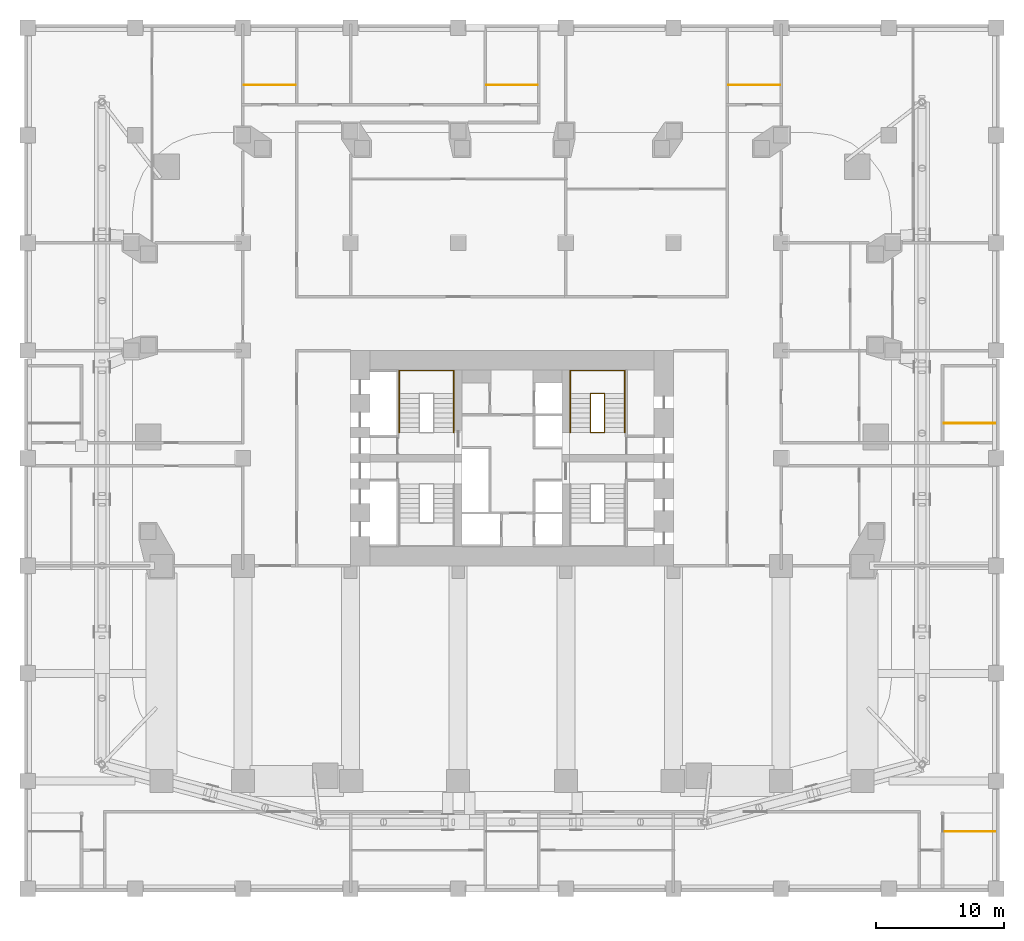
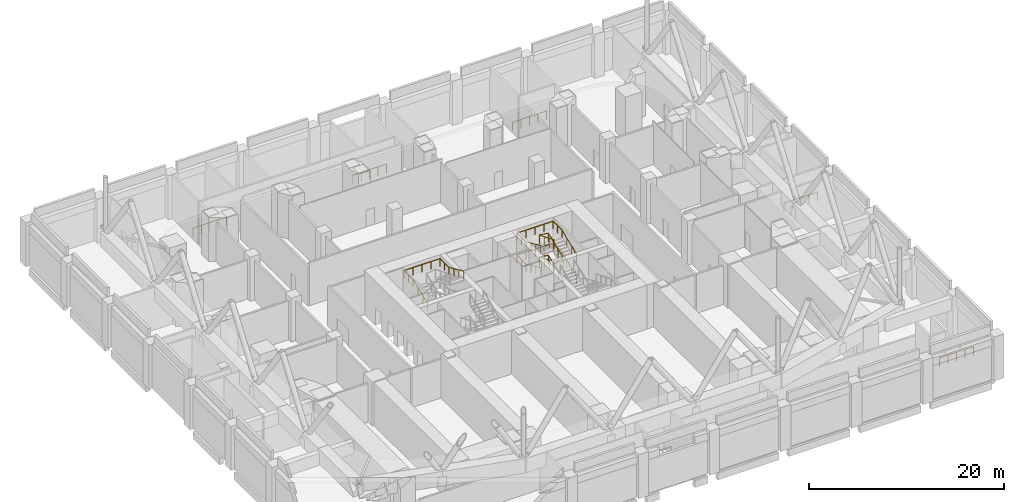
# One storey, part 17 of 17: 10 railings.
"""IFC4 building model written with IfcOpenShell, lengths in metres."""

from ifc_helpers import new_model, si_unit, direction, frame, origin, origin_2d, place, context, subcontext, project, spatial, circle, extrude, material, type_object, element, save


model = new_model("IFC4")

# Units and contexts
model_context = context("Model", 3, precision=1e-05, world=origin(), true_north=direction((0.0, 1.0)))
body_context = subcontext(model_context, "Body", "Model", "MODEL_VIEW")
ifc_project = project(units=[si_unit("LENGTHUNIT", "METRE"), si_unit("AREAUNIT", "SQUARE_METRE"), si_unit("VOLUMEUNIT", "CUBIC_METRE"), si_unit("PLANEANGLEUNIT", "RADIAN"), si_unit("MASSUNIT", "GRAM", prefix="KILO")], contexts=[model_context])

# Site, building, storey
site_placement = place(None, origin())
site = spatial("IfcSite", under=ifc_project, at=site_placement, CompositionType="ELEMENT")
building_placement = place(site_placement, origin())
building = spatial("IfcBuilding", under=site, at=building_placement, Name="Marenta Gate Hotel Tower", CompositionType="ELEMENT")
storey_placement = place(building_placement, frame((0.0, 0.0, 31.0)))
storey = spatial("IfcBuildingStorey", under=building, at=storey_placement, Name="L05", CompositionType="ELEMENT", Elevation=31.0)

# Railings
ifc_material_1 = material(Name="Stainless steel", Category="steel")
railing_type_1 = type_object("IfcRailingType", Name="Core stair handrail 950", PredefinedType="HANDRAIL", material=ifc_material_1)
railing_1_placement = place(storey_placement, frame((-8.800048828125, 10.39990234375, 2.90283203125)))
element("IfcRailing", 1, at=railing_1_placement, inside=storey, type_object=railing_type_1, Name="HR-950 L05-KR-ST2-3", PredefinedType="HANDRAIL", context=body_context, shape_type="SweptSolid", body=[
    extrude(circle(Radius=0.02392578125, at=origin_2d()), frame((0.0, 0.0, 0.92578125), z_axis=(0.0, 0.927827793205, 0.373008828524), x_axis=(-1.0, 0.0, 0.0)), (0.0, 0.0, 1.0), 3.276611328125),
    extrude(circle(Radius=0.02392578125, at=origin_2d()), frame((0.0, 3.0400390625, 2.14794921875), z_axis=(0.0, 1.0, 0.0), x_axis=(-1.0, 0.0, 0.0)), (0.0, 0.0, 1.0), 1.81005859375),
    extrude(circle(Radius=0.02392578125, at=origin_2d()), frame((0.0, 4.85009765625, 2.14794921875), z_axis=(1.0, 0.0, 0.0), x_axis=(0.0, 1.0, 0.0)), (0.0, 0.0, 1.0), 4.25),
    extrude(circle(Radius=0.02392578125, at=origin_2d()), frame((4.25, 4.85009765625, 2.14794921875), z_axis=(0.0, -1.0, 0.0), x_axis=(1.0, 0.0, 0.0)), (0.0, 0.0, 1.0), 1.81005859375),
    extrude(circle(Radius=0.02392578125, at=origin_2d()), frame((4.25, 3.0400390625, 2.14794921875), z_axis=(0.0, -0.911136707309, 0.412104235108), x_axis=(1.0, 0.0, 0.0)), (0.0, 0.0, 1.0), 3.33642578125),
    extrude(circle(Radius=0.02099609375, at=origin_2d()), origin(), (0.0, 0.0, 1.0), 0.90185546875),
    extrude(circle(Radius=0.02099609375, at=origin_2d()), frame((0.0, 1.013427734375, 0.407470703125)), (0.0, 0.0, 1.0), 0.90185546875),
    extrude(circle(Radius=0.02099609375, at=origin_2d()), frame((0.0, 2.026611328125, 0.814697265625)), (0.0, 0.0, 1.0), 0.90185546875),
    extrude(circle(Radius=0.02099609375, at=origin_2d()), frame((0.0, 3.0400390625, 1.22216796875)), (0.0, 0.0, 1.0), 0.90185546875),
    extrude(circle(Radius=0.02099609375, at=origin_2d()), frame((0.0, 3.945068359375, 1.22216796875)), (0.0, 0.0, 1.0), 0.90185546875),
    extrude(circle(Radius=0.02099609375, at=origin_2d()), frame((0.0, 4.85009765625, 1.22216796875)), (0.0, 0.0, 1.0), 0.90185546875),
    extrude(circle(Radius=0.02099609375, at=origin_2d()), frame((1.0625, 4.85009765625, 1.22216796875)), (0.0, 0.0, 1.0), 0.90185546875),
    extrude(circle(Radius=0.02099609375, at=origin_2d()), frame((2.125, 4.85009765625, 1.22216796875)), (0.0, 0.0, 1.0), 0.90185546875),
    extrude(circle(Radius=0.02099609375, at=origin_2d()), frame((3.1875, 4.85009765625, 1.22216796875)), (0.0, 0.0, 1.0), 0.90185546875),
    extrude(circle(Radius=0.02099609375, at=origin_2d()), frame((4.25, 4.85009765625, 1.22216796875)), (0.0, 0.0, 1.0), 0.90185546875),
    extrude(circle(Radius=0.02099609375, at=origin_2d()), frame((4.25, 3.945068359375, 1.22216796875)), (0.0, 0.0, 1.0), 0.90185546875),
    extrude(circle(Radius=0.02099609375, at=origin_2d()), frame((4.25, 3.0400390625, 1.22216796875)), (0.0, 0.0, 1.0), 0.90185546875),
    extrude(circle(Radius=0.02099609375, at=origin_2d()), frame((4.25, 2.026611328125, 1.680419921875)), (0.0, 0.0, 1.0), 0.90185546875),
    extrude(circle(Radius=0.02099609375, at=origin_2d()), frame((4.25, 1.013427734375, 2.138916015625)), (0.0, 0.0, 1.0), 0.90185546875),
    extrude(circle(Radius=0.02099609375, at=origin_2d()), frame((4.25, 0.0, 2.59716796875)), (0.0, 0.0, 1.0), 0.90185546875),
])
railing_2_placement = place(storey_placement, frame((8.800048828125, 10.39990234375, 0.15283203125)))
element("IfcRailing", 2, at=railing_2_placement, inside=storey, type_object=railing_type_1, Name="HR-950 L05-KR-ST4-1", PredefinedType="HANDRAIL", context=body_context, shape_type="SweptSolid", body=[
    extrude(circle(Radius=0.02392578125, at=origin_2d()), frame((0.0, 0.0, 0.92578125), z_axis=(0.0, 0.927827793205, 0.373008828524), x_axis=(-1.0, 0.0, 0.0)), (0.0, 0.0, 1.0), 3.276611328125),
    extrude(circle(Radius=0.02392578125, at=origin_2d()), frame((0.0, 3.0400390625, 2.14794921875), z_axis=(0.0, 1.0, 0.0), x_axis=(-1.0, 0.0, 0.0)), (0.0, 0.0, 1.0), 1.81005859375),
    extrude(circle(Radius=0.02392578125, at=origin_2d()), frame((0.0, 4.85009765625, 2.14794921875), z_axis=(-1.0, 0.0, 0.0), x_axis=(0.0, -1.0, 0.0)), (0.0, 0.0, 1.0), 4.25),
    extrude(circle(Radius=0.02392578125, at=origin_2d()), frame((-4.25, 4.85009765625, 2.14794921875), z_axis=(0.0, -1.0, 0.0), x_axis=(1.0, 0.0, 0.0)), (0.0, 0.0, 1.0), 1.81005859375),
    extrude(circle(Radius=0.02392578125, at=origin_2d()), frame((-4.25, 3.0400390625, 2.14794921875), z_axis=(0.0, -0.911136707309, 0.412104235108), x_axis=(1.0, 0.0, 0.0)), (0.0, 0.0, 1.0), 3.33642578125),
    extrude(circle(Radius=0.02099609375, at=origin_2d()), origin(), (0.0, 0.0, 1.0), 0.90185546875),
    extrude(circle(Radius=0.02099609375, at=origin_2d()), frame((0.0, 1.013427734375, 0.407470703125)), (0.0, 0.0, 1.0), 0.90185546875),
    extrude(circle(Radius=0.02099609375, at=origin_2d()), frame((0.0, 2.026611328125, 0.814697265625)), (0.0, 0.0, 1.0), 0.90185546875),
    extrude(circle(Radius=0.02099609375, at=origin_2d()), frame((0.0, 3.0400390625, 1.22216796875)), (0.0, 0.0, 1.0), 0.90185546875),
    extrude(circle(Radius=0.02099609375, at=origin_2d()), frame((0.0, 3.945068359375, 1.22216796875)), (0.0, 0.0, 1.0), 0.90185546875),
    extrude(circle(Radius=0.02099609375, at=origin_2d()), frame((0.0, 4.85009765625, 1.22216796875)), (0.0, 0.0, 1.0), 0.90185546875),
    extrude(circle(Radius=0.02099609375, at=origin_2d()), frame((-1.0625, 4.85009765625, 1.22216796875)), (0.0, 0.0, 1.0), 0.90185546875),
    extrude(circle(Radius=0.02099609375, at=origin_2d()), frame((-2.125, 4.85009765625, 1.22216796875)), (0.0, 0.0, 1.0), 0.90185546875),
    extrude(circle(Radius=0.02099609375, at=origin_2d()), frame((-3.1875, 4.85009765625, 1.22216796875)), (0.0, 0.0, 1.0), 0.90185546875),
    extrude(circle(Radius=0.02099609375, at=origin_2d()), frame((-4.25, 4.85009765625, 1.22216796875)), (0.0, 0.0, 1.0), 0.90185546875),
    extrude(circle(Radius=0.02099609375, at=origin_2d()), frame((-4.25, 3.945068359375, 1.22216796875)), (0.0, 0.0, 1.0), 0.90185546875),
    extrude(circle(Radius=0.02099609375, at=origin_2d()), frame((-4.25, 3.0400390625, 1.22216796875)), (0.0, 0.0, 1.0), 0.90185546875),
    extrude(circle(Radius=0.02099609375, at=origin_2d()), frame((-4.25, 2.026611328125, 1.680419921875)), (0.0, 0.0, 1.0), 0.90185546875),
    extrude(circle(Radius=0.02099609375, at=origin_2d()), frame((-4.25, 1.013427734375, 2.138916015625)), (0.0, 0.0, 1.0), 0.90185546875),
    extrude(circle(Radius=0.02099609375, at=origin_2d()), frame((-4.25, 0.0, 2.59716796875)), (0.0, 0.0, 1.0), 0.90185546875),
])
railing_3_placement = place(storey_placement, frame((8.800048828125, 10.39990234375, 2.90283203125)))
element("IfcRailing", 3, at=railing_3_placement, inside=storey, type_object=railing_type_1, Name="HR-950 L05-KR-ST4-3", PredefinedType="HANDRAIL", context=body_context, shape_type="SweptSolid", body=[
    extrude(circle(Radius=0.02392578125, at=origin_2d()), frame((0.0, 0.0, 0.92578125), z_axis=(0.0, 0.927827793205, 0.373008828524), x_axis=(-1.0, 0.0, 0.0)), (0.0, 0.0, 1.0), 3.276611328125),
    extrude(circle(Radius=0.02392578125, at=origin_2d()), frame((0.0, 3.0400390625, 2.14794921875), z_axis=(0.0, 1.0, 0.0), x_axis=(-1.0, 0.0, 0.0)), (0.0, 0.0, 1.0), 1.81005859375),
    extrude(circle(Radius=0.02392578125, at=origin_2d()), frame((0.0, 4.85009765625, 2.14794921875), z_axis=(-1.0, 0.0, 0.0), x_axis=(0.0, -1.0, 0.0)), (0.0, 0.0, 1.0), 4.25),
    extrude(circle(Radius=0.02392578125, at=origin_2d()), frame((-4.25, 4.85009765625, 2.14794921875), z_axis=(0.0, -1.0, 0.0), x_axis=(1.0, 0.0, 0.0)), (0.0, 0.0, 1.0), 1.81005859375),
    extrude(circle(Radius=0.02392578125, at=origin_2d()), frame((-4.25, 3.0400390625, 2.14794921875), z_axis=(0.0, -0.911136707309, 0.412104235108), x_axis=(1.0, 0.0, 0.0)), (0.0, 0.0, 1.0), 3.33642578125),
    extrude(circle(Radius=0.02099609375, at=origin_2d()), origin(), (0.0, 0.0, 1.0), 0.90185546875),
    extrude(circle(Radius=0.02099609375, at=origin_2d()), frame((0.0, 1.013427734375, 0.407470703125)), (0.0, 0.0, 1.0), 0.90185546875),
    extrude(circle(Radius=0.02099609375, at=origin_2d()), frame((0.0, 2.026611328125, 0.814697265625)), (0.0, 0.0, 1.0), 0.90185546875),
    extrude(circle(Radius=0.02099609375, at=origin_2d()), frame((0.0, 3.0400390625, 1.22216796875)), (0.0, 0.0, 1.0), 0.90185546875),
    extrude(circle(Radius=0.02099609375, at=origin_2d()), frame((0.0, 3.945068359375, 1.22216796875)), (0.0, 0.0, 1.0), 0.90185546875),
    extrude(circle(Radius=0.02099609375, at=origin_2d()), frame((0.0, 4.85009765625, 1.22216796875)), (0.0, 0.0, 1.0), 0.90185546875),
    extrude(circle(Radius=0.02099609375, at=origin_2d()), frame((-1.0625, 4.85009765625, 1.22216796875)), (0.0, 0.0, 1.0), 0.90185546875),
    extrude(circle(Radius=0.02099609375, at=origin_2d()), frame((-2.125, 4.85009765625, 1.22216796875)), (0.0, 0.0, 1.0), 0.90185546875),
    extrude(circle(Radius=0.02099609375, at=origin_2d()), frame((-3.1875, 4.85009765625, 1.22216796875)), (0.0, 0.0, 1.0), 0.90185546875),
    extrude(circle(Radius=0.02099609375, at=origin_2d()), frame((-4.25, 4.85009765625, 1.22216796875)), (0.0, 0.0, 1.0), 0.90185546875),
    extrude(circle(Radius=0.02099609375, at=origin_2d()), frame((-4.25, 3.945068359375, 1.22216796875)), (0.0, 0.0, 1.0), 0.90185546875),
    extrude(circle(Radius=0.02099609375, at=origin_2d()), frame((-4.25, 3.0400390625, 1.22216796875)), (0.0, 0.0, 1.0), 0.90185546875),
    extrude(circle(Radius=0.02099609375, at=origin_2d()), frame((-4.25, 2.026611328125, 1.680419921875)), (0.0, 0.0, 1.0), 0.90185546875),
    extrude(circle(Radius=0.02099609375, at=origin_2d()), frame((-4.25, 1.013427734375, 2.138916015625)), (0.0, 0.0, 1.0), 0.90185546875),
    extrude(circle(Radius=0.02099609375, at=origin_2d()), frame((-4.25, 0.0, 2.59716796875)), (0.0, 0.0, 1.0), 0.90185546875),
])
ifc_material_2 = material(Name="Stainless steel", Category="steel")
railing_type_2 = type_object("IfcRailingType", Name="Core stair well guard 1100", PredefinedType="GUARDRAIL", material=ifc_material_2)
railing_4_placement = place(storey_placement, frame((6.139892578125, 10.39990234375, 0.0)))
element("IfcRailing", 4, at=railing_4_placement, inside=storey, type_object=railing_type_2, Name="GR-1100 L05-KR-ST4-2", PredefinedType="GUARDRAIL", context=body_context, shape_type="SweptSolid", body=[
    extrude(circle(Radius=0.02392578125, at=origin_2d()), frame((0.0, 0.0, 1.076171875), z_axis=(1.0, 0.0, 0.0), x_axis=(0.0, 1.0, 0.0)), (0.0, 0.0, 1.0), 1.070068359375),
    extrude(circle(Radius=0.02392578125, at=origin_2d()), frame((1.070068359375, 0.0, 1.076171875), z_axis=(0.0, 0.0, 1.0), x_axis=(1.0, 0.0, 0.0)), (0.0, 0.0, 1.0), 0.15283203125),
    extrude(circle(Radius=0.02392578125, at=origin_2d()), frame((1.070068359375, 0.0, 1.22900390625), z_axis=(0.0, 0.927827793205, 0.373008828524), x_axis=(-1.0, 0.0, 0.0)), (0.0, 0.0, 1.0), 3.276611328125),
    extrude(circle(Radius=0.02392578125, at=origin_2d()), frame((1.070068359375, 3.0400390625, 2.451171875), z_axis=(-0.9899540104, 0.0, 0.141389735458), x_axis=(0.0, -1.0, 0.0)), (0.0, 0.0, 1.0), 1.080810546875),
    extrude(circle(Radius=0.02392578125, at=origin_2d()), frame((0.0, 3.0400390625, 2.60400390625), z_axis=(0.0, -0.927827793205, 0.373008828524), x_axis=(1.0, 0.0, 0.0)), (0.0, 0.0, 1.0), 3.276611328125),
    extrude(circle(Radius=0.02099609375, at=origin_2d()), origin(), (0.0, 0.0, 1.0), 1.052001953125),
    extrude(circle(Radius=0.02099609375, at=origin_2d()), frame((1.070068359375, 0.0, 0.0)), (0.0, 0.0, 1.0), 1.052001953125),
    extrude(circle(Radius=0.02099609375, at=origin_2d()), frame((1.070068359375, 0.0, 0.15283203125)), (0.0, 0.0, 1.0), 1.052001953125),
    extrude(circle(Radius=0.02099609375, at=origin_2d()), frame((1.070068359375, 1.013427734375, 0.560302734375)), (0.0, 0.0, 1.0), 1.052001953125),
    extrude(circle(Radius=0.02099609375, at=origin_2d()), frame((1.070068359375, 2.026611328125, 0.967529296875)), (0.0, 0.0, 1.0), 1.052001953125),
    extrude(circle(Radius=0.02099609375, at=origin_2d()), frame((1.070068359375, 3.0400390625, 1.375)), (0.0, 0.0, 1.0), 1.052001953125),
    extrude(circle(Radius=0.02099609375, at=origin_2d()), frame((0.0, 3.0400390625, 1.52783203125)), (0.0, 0.0, 1.0), 1.052001953125),
    extrude(circle(Radius=0.02099609375, at=origin_2d()), frame((0.0, 2.026611328125, 1.935302734375)), (0.0, 0.0, 1.0), 1.052001953125),
    extrude(circle(Radius=0.02099609375, at=origin_2d()), frame((0.0, 1.013427734375, 2.342529296875)), (0.0, 0.0, 1.0), 1.052001953125),
    extrude(circle(Radius=0.02099609375, at=origin_2d()), frame((0.0, 0.0, 2.75)), (0.0, 0.0, 1.0), 1.052001953125),
])
railing_5_placement = place(storey_placement, frame((6.139892578125, 10.39990234375, 2.75)))
element("IfcRailing", 5, at=railing_5_placement, inside=storey, type_object=railing_type_2, Name="GR-1100 L05-KR-ST4-4", PredefinedType="GUARDRAIL", context=body_context, shape_type="SweptSolid", body=[
    extrude(circle(Radius=0.02392578125, at=origin_2d()), frame((0.0, 0.0, 1.076171875), z_axis=(1.0, 0.0, 0.0), x_axis=(0.0, 1.0, 0.0)), (0.0, 0.0, 1.0), 1.070068359375),
    extrude(circle(Radius=0.02392578125, at=origin_2d()), frame((1.070068359375, 0.0, 1.076171875), z_axis=(0.0, 0.0, 1.0), x_axis=(1.0, 0.0, 0.0)), (0.0, 0.0, 1.0), 0.15283203125),
    extrude(circle(Radius=0.02392578125, at=origin_2d()), frame((1.070068359375, 0.0, 1.22900390625), z_axis=(0.0, 0.927827793205, 0.373008828524), x_axis=(-1.0, 0.0, 0.0)), (0.0, 0.0, 1.0), 3.276611328125),
    extrude(circle(Radius=0.02392578125, at=origin_2d()), frame((1.070068359375, 3.0400390625, 2.451171875), z_axis=(-0.9899540104, 0.0, 0.141389735458), x_axis=(0.0, -1.0, 0.0)), (0.0, 0.0, 1.0), 1.080810546875),
    extrude(circle(Radius=0.02392578125, at=origin_2d()), frame((0.0, 3.0400390625, 2.60400390625), z_axis=(0.0, -0.927827793205, 0.373008828524), x_axis=(1.0, 0.0, 0.0)), (0.0, 0.0, 1.0), 3.276611328125),
    extrude(circle(Radius=0.02099609375, at=origin_2d()), origin(), (0.0, 0.0, 1.0), 1.052001953125),
    extrude(circle(Radius=0.02099609375, at=origin_2d()), frame((1.070068359375, 0.0, 0.0)), (0.0, 0.0, 1.0), 1.052001953125),
    extrude(circle(Radius=0.02099609375, at=origin_2d()), frame((1.070068359375, 0.0, 0.15283203125)), (0.0, 0.0, 1.0), 1.052001953125),
    extrude(circle(Radius=0.02099609375, at=origin_2d()), frame((1.070068359375, 1.013427734375, 0.560302734375)), (0.0, 0.0, 1.0), 1.052001953125),
    extrude(circle(Radius=0.02099609375, at=origin_2d()), frame((1.070068359375, 2.026611328125, 0.967529296875)), (0.0, 0.0, 1.0), 1.052001953125),
    extrude(circle(Radius=0.02099609375, at=origin_2d()), frame((1.070068359375, 3.0400390625, 1.375)), (0.0, 0.0, 1.0), 1.052001953125),
    extrude(circle(Radius=0.02099609375, at=origin_2d()), frame((0.0, 3.0400390625, 1.52783203125)), (0.0, 0.0, 1.0), 1.052001953125),
    extrude(circle(Radius=0.02099609375, at=origin_2d()), frame((0.0, 2.026611328125, 1.935302734375)), (0.0, 0.0, 1.0), 1.052001953125),
    extrude(circle(Radius=0.02099609375, at=origin_2d()), frame((0.0, 1.013427734375, 2.342529296875)), (0.0, 0.0, 1.0), 1.052001953125),
    extrude(circle(Radius=0.02099609375, at=origin_2d()), frame((0.0, 0.0, 2.75)), (0.0, 0.0, 1.0), 1.052001953125),
])
for number, where, name in (
    (6, (33.699951171875, -20.72998046875, 0.0), "GR-1100 L05-KR-PX2-1"),
    (7, (-20.89990234375, 37.530029296875, 0.0), "GR-1100 L05-KR-PX3-1"),
    (8, (16.89990234375, 37.530029296875, 0.0), "GR-1100 L05-KR-PX4-1"),
    (9, (33.699951171875, 11.1298828125, 0.0), "GR-1100 L05-KR-PX7-1"),
    (10, (-2.0, 37.530029296875, 0.0), "GR-1100 L05-KR-PX8-1"),
):
    element("IfcRailing", number, at=place(storey_placement, frame(where)), inside=storey, type_object=railing_type_2, Name=name, PredefinedType="GUARDRAIL", context=body_context, shape_type="SweptSolid", body=[
        extrude(circle(Radius=0.02392578125, at=origin_2d()), frame((0.0, 0.0, 1.076171875), z_axis=(1.0, 0.0, 0.0), x_axis=(0.0, 1.0, 0.0)), (0.0, 0.0, 1.0), 4.0),
        extrude(circle(Radius=0.02099609375, at=origin_2d()), origin(), (0.0, 0.0, 1.0), 1.052001953125),
        extrude(circle(Radius=0.02099609375, at=origin_2d()), frame((1.0, 0.0, 0.0)), (0.0, 0.0, 1.0), 1.052001953125),
        extrude(circle(Radius=0.02099609375, at=origin_2d()), frame((2.0, 0.0, 0.0)), (0.0, 0.0, 1.0), 1.052001953125),
        extrude(circle(Radius=0.02099609375, at=origin_2d()), frame((3.0, 0.0, 0.0)), (0.0, 0.0, 1.0), 1.052001953125),
        extrude(circle(Radius=0.02099609375, at=origin_2d()), frame((4.0, 0.0, 0.0)), (0.0, 0.0, 1.0), 1.052001953125),
    ])

save(model, "model.ifc")
